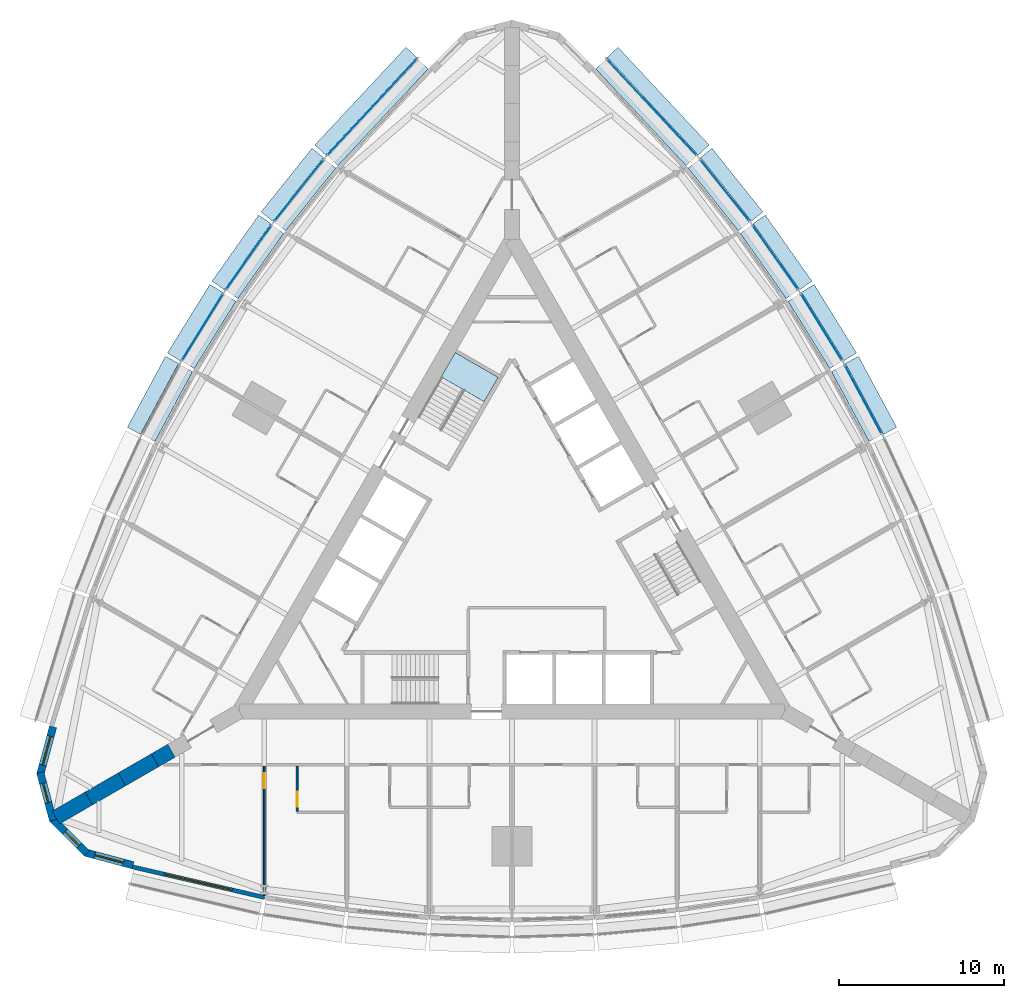
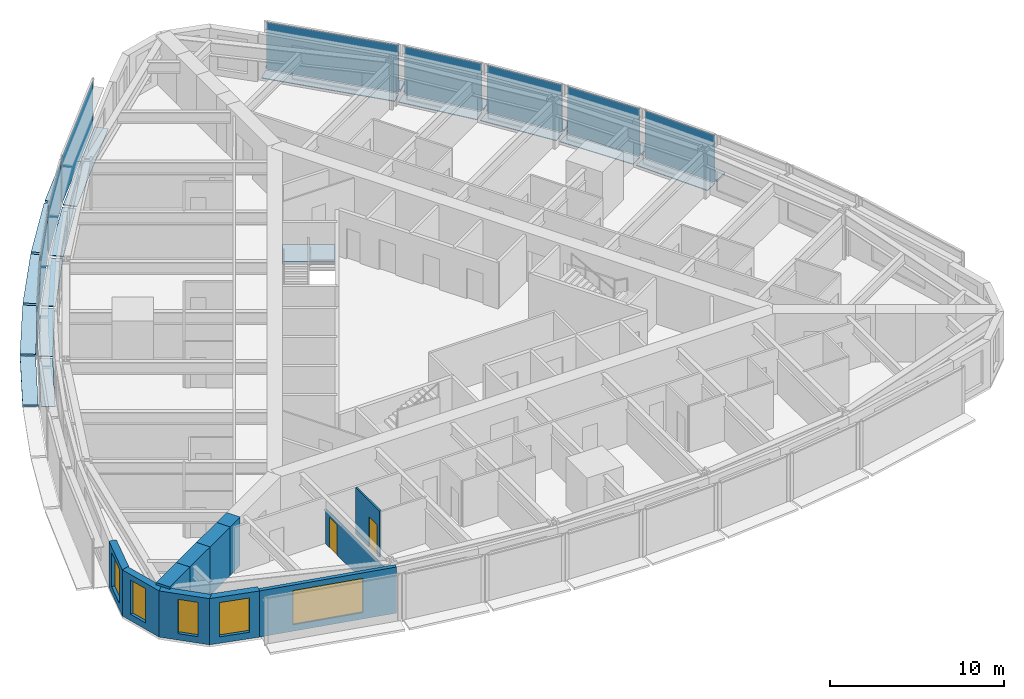
# One storey, part 7 of 14: 29 plates, 11 walls, 5 windows, 2 doors, 1 slab, 7 openings, 10 elements without a shape of their own.
"""IFC4 building model written with IfcOpenShell, lengths in metres."""

import ifcopenshell
import ifcopenshell.guid

model = None  # the IFC model being written
_history = None  # IfcOwnerHistory: only IFC2X3 demands one
_inside = {}  # id of a spatial element -> (the spatial element, [elements in it])
_under = {}  # id of a project, library or spatial element -> (it, [spatial elements below it])
_declared = {}  # id of a project -> (the project, [libraries it declares])
_typed = {}  # id of a type object -> (the type object, [elements of that type])
_made_of = {}  # id of a material, layer set ... -> (it, [elements and type objects made of it])


def new_model(schema):
    """Start an empty IFC model of exactly this schema.

    Asked for "IFC4X3", IfcOpenShell would pick the latest addendum, in which some entities
    have other attributes; the version numbers below select the first issue.
    IFC2X3 requires an IfcOwnerHistory on every rooted entity: one is made here for all.
    """
    global model, _history
    if schema == "IFC4X3":
        model = ifcopenshell.file(schema_version=(4, 3, 0, 0))
    else:
        model = ifcopenshell.file(schema=schema)
    _inside.clear()
    _under.clear()
    _declared.clear()
    _typed.clear()
    _made_of.clear()
    _history = None
    if model.schema == "IFC2X3":
        org = make("IfcOrganization", Name="unknown")
        user = make(
            "IfcPersonAndOrganization",
            ThePerson=make("IfcPerson", FamilyName="unknown"),
            TheOrganization=org,
        )
        app = make(
            "IfcApplication",
            ApplicationDeveloper=org,
            Version="unknown",
            ApplicationFullName="unknown",
            ApplicationIdentifier="unknown",
        )
        _history = make(
            "IfcOwnerHistory",
            OwningUser=user,
            OwningApplication=app,
            ChangeAction="ADDED",
            CreationDate=0,
        )
    return model


def make(cls, **values):
    """One entity of the class cls with the attributes given. An attribute that is None is left unset."""
    return model.create_entity(
        cls, **{name: value for name, value in values.items() if value is not None}
    )


def rooted(cls, **values):
    """An entity with a GlobalId (a new one), such as an element, a storey or a relation."""
    return make(cls, GlobalId=ifcopenshell.guid.new(), OwnerHistory=_history, **values)


def si_unit(unit_type, name, prefix=None):
    """IfcSIUnit, for example si_unit("LENGTHUNIT", "METRE", prefix="MILLI")."""
    return make("IfcSIUnit", UnitType=unit_type, Prefix=prefix, Name=name)


def assignment(units):
    """IfcUnitAssignment: the units of a project."""
    return None if units is None else make("IfcUnitAssignment", Units=units)


def point(xyz):
    """IfcCartesianPoint."""
    return None if xyz is None else make("IfcCartesianPoint", Coordinates=xyz)


def direction(xyz):
    """IfcDirection."""
    return None if xyz is None else make("IfcDirection", DirectionRatios=xyz)


def frame(location, z_axis=None, x_axis=None):
    """IfcAxis2Placement3D, a coordinate frame: its origin and axes. An axis left out is left unset."""
    return make(
        "IfcAxis2Placement3D",
        Location=point(location),
        Axis=direction(z_axis),
        RefDirection=direction(x_axis),
    )


def frame_2d(location, x_axis=None):
    """IfcAxis2Placement2D, a coordinate frame in the plane: its origin and x axis."""
    return make(
        "IfcAxis2Placement2D", Location=point(location), RefDirection=direction(x_axis)
    )


def origin():
    """The frame at (0, 0, 0) with its axes left unset."""
    return frame((0.0, 0.0, 0.0))


def origin_2d():
    """The frame at (0, 0) in the plane with its x axis left unset."""
    return frame_2d((0.0, 0.0))


def place(relative_to, where):
    """IfcLocalPlacement: puts the frame where relative to a parent placement (None: the world)."""
    return make(
        "IfcLocalPlacement", PlacementRelTo=relative_to, RelativePlacement=where
    )


def context(
    kind, dimensions, precision=None, world=None, true_north=None, identifier=None
):
    """IfcGeometricRepresentationContext, for example the 3D "Model" context."""
    return make(
        "IfcGeometricRepresentationContext",
        ContextIdentifier=identifier,
        ContextType=kind,
        CoordinateSpaceDimension=dimensions,
        Precision=precision,
        WorldCoordinateSystem=world,
        TrueNorth=true_north,
    )


def subcontext(parent, identifier, kind, view, scale=None):
    """IfcGeometricRepresentationSubContext, for example "Body" below "Model"."""
    return make(
        "IfcGeometricRepresentationSubContext",
        ContextIdentifier=identifier,
        ContextType=kind,
        ParentContext=parent,
        TargetScale=scale,
        TargetView=view,
    )


def project(units=None, contexts=None):
    """IfcProject with its units and contexts."""
    return rooted(
        "IfcProject",
        Name="project",
        RepresentationContexts=contexts,
        UnitsInContext=assignment(units),
    )


def spatial(cls, under=None, at=None, **own):
    """A site, building, storey or space (cls), placed at a placement, below another one or the project."""
    s = rooted(cls, ObjectPlacement=at, **own)
    if under is not None:
        _under.setdefault(under.id(), (under, []))[1].append(s)
    return s


def polyline(points):
    """IfcPolyline through the points."""
    return make("IfcPolyline", Points=[point(p) for p in points])


def profile(cls, at=None, kind="AREA", **sizes):
    """A parametric profile (cls). Its sizes go by their IFC names, for example OverallWidth=200.0."""
    return make(cls, ProfileType=kind, Position=at, **sizes)


def rectangle(**sizes):
    """IfcRectangleProfileDef."""
    return profile("IfcRectangleProfileDef", **sizes)


def outline(outer, holes=None, kind="AREA"):
    """IfcArbitraryClosedProfileDef: a profile drawn as a closed curve; with holes, ...WithVoids."""
    if holes is None:
        return make("IfcArbitraryClosedProfileDef", ProfileType=kind, OuterCurve=outer)
    return make(
        "IfcArbitraryProfileDefWithVoids",
        ProfileType=kind,
        OuterCurve=outer,
        InnerCurves=holes,
    )


def extrude(swept, where, along, depth):
    """IfcExtrudedAreaSolid: the profile swept, set in the frame where, extruded along a direction by depth."""
    return make(
        "IfcExtrudedAreaSolid",
        SweptArea=swept,
        Position=where,
        ExtrudedDirection=direction(along),
        Depth=depth,
    )


def shape(context_of_items, identifier, shape_type, items):
    """IfcShapeRepresentation: the items that make up one representation, for example the "Body"."""
    return make(
        "IfcShapeRepresentation",
        ContextOfItems=context_of_items,
        RepresentationIdentifier=identifier,
        RepresentationType=shape_type,
        Items=items,
    )


def material(Name=None, Category=None):
    """IfcMaterial."""
    return make("IfcMaterial", Name=Name, Category=Category)


def layer(
    of_material, thickness, ventilated=None, Name=None, Category=None, Priority=None
):
    """IfcMaterialLayer: one layer of a wall or slab, of a material (None: an air gap)."""
    return make(
        "IfcMaterialLayer",
        Material=of_material,
        LayerThickness=thickness,
        IsVentilated=ventilated,
        Name=Name,
        Category=Category,
        Priority=Priority,
    )


def layer_set(layers, Name=None):
    """IfcMaterialLayerSet."""
    return make("IfcMaterialLayerSet", MaterialLayers=layers, LayerSetName=Name)


def made_of(thing, what):
    """Note that an element or type object is made of a material, layer set ...; save() writes the relation."""
    if what is not None:
        _made_of.setdefault(what.id(), (what, []))[1].append(thing)
    return thing


def type_object(cls, material=None, **own):
    """A type object (cls), such as IfcWallType, which elements share."""
    return made_of(rooted(cls, **own), material)


def element(
    cls,
    number,
    at=None,
    inside=None,
    cuts=None,
    type_object=None,
    material=None,
    context=None,
    identifier="Body",
    shape_type=None,
    held_by="IfcProductDefinitionShape",
    body=None,
    shapes=None,
    **own,
):
    """One element of the class cls, such as IfcWall. Its Tag is "e" and its number.

    at: its placement. inside: the storey or other place that contains it. cuts: it is an
    opening in that element (IfcRelVoidsElement). A single representation is given by context,
    identifier, shape_type and body (its items); several are given by shapes. held_by: the class
    of the entity that holds the representations. save() writes the other relations.
    """
    e = rooted(cls, Tag="e%d" % number, ObjectPlacement=at, **own)
    if body is not None:
        shapes = [shape(context, identifier, shape_type, body)]
    if shapes is not None:
        e.Representation = make(held_by, Representations=shapes)
    if inside is not None:
        _inside.setdefault(inside.id(), (inside, []))[1].append(e)
    if cuts is not None:
        rooted(
            "IfcRelVoidsElement", RelatingBuildingElement=cuts, RelatedOpeningElement=e
        )
    if type_object is not None:
        _typed.setdefault(type_object.id(), (type_object, []))[1].append(e)
    return made_of(e, material)


def fill(opening, filler):
    """IfcRelFillsElement: the door or window that sits in an opening."""
    return rooted(
        "IfcRelFillsElement",
        RelatingOpeningElement=opening,
        RelatedBuildingElement=filler,
    )


def aggregate(whole, parts):
    """IfcRelAggregates: a whole, such as a stair, and the parts it consists of."""
    return rooted("IfcRelAggregates", RelatingObject=whole, RelatedObjects=parts)


def save(model, path):
    """Write the relations noted so far, then the file.

    IfcRelAggregates (storeys below a building ...), IfcRelContainedInSpatialStructure (elements
    in a storey), IfcRelDefinesByType, IfcRelAssociatesMaterial and IfcRelDeclares: one each for
    every whole, place, type object, material and project.
    """
    for whole, parts in _under.values():
        aggregate(whole, parts)
    for where, things in _inside.values():
        rooted(
            "IfcRelContainedInSpatialStructure",
            RelatedElements=things,
            RelatingStructure=where,
        )
    for kind, things in _typed.values():
        rooted("IfcRelDefinesByType", RelatedObjects=things, RelatingType=kind)
    for what, things in _made_of.values():
        rooted("IfcRelAssociatesMaterial", RelatedObjects=things, RelatingMaterial=what)
    for by, libraries in _declared.values():
        rooted("IfcRelDeclares", RelatingContext=by, RelatedDefinitions=libraries)
    model.write(path)


model = new_model("IFC4")

# Units and contexts
model_context = context("Model", 3, precision=1e-05, world=origin(), true_north=direction((0.0, 1.0)))
body_context = subcontext(model_context, "Body", "Model", "MODEL_VIEW")
ifc_project = project(units=[si_unit("LENGTHUNIT", "METRE"), si_unit("AREAUNIT", "SQUARE_METRE"), si_unit("VOLUMEUNIT", "CUBIC_METRE"), si_unit("PLANEANGLEUNIT", "RADIAN"), si_unit("MASSUNIT", "GRAM", prefix="KILO")], contexts=[model_context])

# Site, building, storey
site_placement = place(None, origin())
site = spatial("IfcSite", under=ifc_project, at=site_placement, CompositionType="ELEMENT")
building_placement = place(site_placement, origin())
building = spatial("IfcBuilding", under=site, at=building_placement, Name="Trikona Tower", CompositionType="ELEMENT")
storey_placement = place(building_placement, frame((0.0, 0.0, 31.89990234375)))
storey = spatial("IfcBuildingStorey", under=building, at=storey_placement, Name="L06", CompositionType="ELEMENT", Elevation=31.89990234375)

# Plates
ifc_material_1 = material(Name="Aluminium bar grating", Category="aluminium")
ifc_layer_1 = layer(ifc_material_1, 0.050048828125)
ifc_layer_set_1 = layer_set([ifc_layer_1], Name="Cavity catwalk grating")
plate_type_1 = type_object("IfcPlateType", Name="Cavity catwalk grating", PredefinedType="USERDEFINED", material=ifc_layer_set_1)
for number, where, z_axis, x_axis, name in (
    (1, (20.833740234375, 9.127197265625, -0.0498046875), (0.0, 0.0, 1.0), (-0.473422672721, 0.880835383572, 0.0), "Cavity catwalk L06-15"),
    (2, (18.3212890625, 13.47900390625, -0.0498046875), (0.0, 0.0, 1.0), (-0.526118935114, 0.85041099835, 0.0), "Cavity catwalk L06-16"),
):
    element("IfcPlate", number, at=place(storey_placement, frame(where, z_axis=z_axis, x_axis=x_axis)), inside=storey, type_object=plate_type_1, Name=name, ObjectType="CATWALK GRATING", PredefinedType="USERDEFINED", context=body_context, shape_type="SweptSolid", body=[
        extrude(rectangle(XDim=4.80224609375, YDim=0.820068359375, at=origin_2d()), origin(), (0.0, 0.0, 1.0), 0.050048828125),
    ])
plate_1_placement = place(storey_placement, frame((15.544189453125, 17.677734375, -0.0498046875), z_axis=(0.0, 0.0, 1.0), x_axis=(-0.576661909499, 0.816982889743, 0.0)))
element("IfcPlate", 3, at=plate_1_placement, inside=storey, type_object=plate_type_1, Name="Cavity catwalk L06-17", ObjectType="CATWALK GRATING", PredefinedType="USERDEFINED", context=body_context, shape_type="SweptSolid", body=[
    extrude(rectangle(XDim=4.82080078125, YDim=0.820068359375, at=origin_2d()), origin(), (0.0, 0.0, 1.0), 0.050048828125),
])
plate_2_placement = place(storey_placement, frame((12.502197265625, 21.72314453125, -0.0498046875), z_axis=(0.0, 0.0, 1.0), x_axis=(-0.624603618277, 0.780941944087, 0.0)))
element("IfcPlate", 4, at=plate_2_placement, inside=storey, type_object=plate_type_1, Name="Cavity catwalk L06-18", ObjectType="CATWALK GRATING", PredefinedType="USERDEFINED", context=body_context, shape_type="SweptSolid", body=[
    extrude(rectangle(XDim=4.857666015625, YDim=0.820068359375, at=origin_2d()), origin(), (0.0, 0.0, 1.0), 0.050048828125),
])
for number, where, z_axis, x_axis, name in (
    (5, (8.10107421875, 26.72314453125, -0.0498046875), (0.0, 0.0, 1.0), (-0.682298269147, 0.731073916864, 0.0), "Cavity catwalk L06-19"),
    (6, (-8.10107421875, 26.72314453125, -0.0498046875), (0.0, 0.0, 1.0), (-0.682298269147, -0.731073916864, 0.0), "Cavity catwalk L06-24"),
):
    element("IfcPlate", number, at=place(storey_placement, frame(where, z_axis=z_axis, x_axis=x_axis)), inside=storey, type_object=plate_type_1, Name=name, ObjectType="CATWALK GRATING", PredefinedType="USERDEFINED", context=body_context, shape_type="SweptSolid", body=[
        extrude(rectangle(XDim=8.01123046875, YDim=0.820068359375, at=origin_2d()), origin(), (0.0, 0.0, 1.0), 0.050048828125),
    ])
plate_3_placement = place(storey_placement, frame((-12.502197265625, 21.72314453125, -0.0498046875), z_axis=(0.0, 0.0, 1.0), x_axis=(-0.624603618277, -0.780941944087, 0.0)))
element("IfcPlate", 7, at=plate_3_placement, inside=storey, type_object=plate_type_1, Name="Cavity catwalk L06-25", ObjectType="CATWALK GRATING", PredefinedType="USERDEFINED", context=body_context, shape_type="SweptSolid", body=[
    extrude(rectangle(XDim=4.857666015625, YDim=0.820068359375, at=origin_2d()), origin(), (0.0, 0.0, 1.0), 0.050048828125),
])
plate_4_placement = place(storey_placement, frame((-15.544189453125, 17.677734375, -0.0498046875), z_axis=(0.0, 0.0, 1.0), x_axis=(-0.576661909499, -0.816982889743, 0.0)))
element("IfcPlate", 8, at=plate_4_placement, inside=storey, type_object=plate_type_1, Name="Cavity catwalk L06-26", ObjectType="CATWALK GRATING", PredefinedType="USERDEFINED", context=body_context, shape_type="SweptSolid", body=[
    extrude(rectangle(XDim=4.82080078125, YDim=0.820068359375, at=origin_2d()), origin(), (0.0, 0.0, 1.0), 0.050048828125),
])
for number, where, z_axis, x_axis, name in (
    (9, (-18.3212890625, 13.47900390625, -0.0498046875), (0.0, 0.0, 1.0), (-0.526118935114, -0.85041099835, 0.0), "Cavity catwalk L06-27"),
    (10, (-20.833740234375, 9.127197265625, -0.0498046875), (0.0, 0.0, 1.0), (-0.473422672721, -0.880835383572, 0.0), "Cavity catwalk L06-28"),
):
    element("IfcPlate", number, at=place(storey_placement, frame(where, z_axis=z_axis, x_axis=x_axis)), inside=storey, type_object=plate_type_1, Name=name, ObjectType="CATWALK GRATING", PredefinedType="USERDEFINED", context=body_context, shape_type="SweptSolid", body=[
        extrude(rectangle(XDim=4.80224609375, YDim=0.820068359375, at=origin_2d()), origin(), (0.0, 0.0, 1.0), 0.050048828125),
    ])

# Curtain wall, plate
ifc_material_2 = material(Name="Aluminium curtain wall system", Category="aluminium")
curtain_wall_type = type_object("IfcCurtainWallType", Name="Curtain wall DS1", PredefinedType="NOTDEFINED", material=ifc_material_2)
curtain_wall_1_placement = place(storey_placement, origin())
curtain_wall_1 = element("IfcCurtainWall", 11, at=curtain_wall_1_placement, inside=storey, type_object=curtain_wall_type, Name="Curtain wall DS1 L06", PredefinedType="NOTDEFINED")
ifc_material_3 = material(Name="Laminated clear glass", Category="glass")
ifc_layer_2 = layer(ifc_material_3, 0.028076171875)
ifc_layer_set_2 = layer_set([ifc_layer_2], Name="Glass panel DS1")
plate_type_2 = type_object("IfcPlateType", Name="Glass panel DS1", PredefinedType="CURTAIN_PANEL", material=ifc_layer_set_2)
plate_5_placement = place(storey_placement, frame((21.265380859375, 9.359130859375, 0.0), z_axis=(0.0, 0.0, 1.0), x_axis=(-0.473408350896, 0.880843080975, 0.0)))
plate_5 = element("IfcPlate", 12, at=plate_5_placement, type_object=plate_type_2, Name="CW-DS1 panel 1.1", PredefinedType="CURTAIN_PANEL", context=body_context, shape_type="SweptSolid", body=[
    extrude(rectangle(XDim=4.72216796875, YDim=0.028076171875, at=origin_2d()), origin(), (0.0, 0.0, 1.0), 3.320068359375),
])
aggregate(curtain_wall_1, [plate_5])

curtain_wall_2_placement = place(storey_placement, origin())
curtain_wall_2 = element("IfcCurtainWall", 13, at=curtain_wall_2_placement, inside=storey, type_object=curtain_wall_type, Name="Curtain wall DS1 L06", PredefinedType="NOTDEFINED")
plate_6_placement = place(storey_placement, frame((18.738037109375, 13.73681640625, 0.0), z_axis=(0.0, 0.0, 1.0), x_axis=(-0.526119790842, 0.850410468941, 0.0)))
plate_6 = element("IfcPlate", 14, at=plate_6_placement, type_object=plate_type_2, Name="CW-DS1 panel 1.1", PredefinedType="CURTAIN_PANEL", context=body_context, shape_type="SweptSolid", body=[
    extrude(rectangle(XDim=4.722412109375, YDim=0.028076171875, at=origin_2d()), origin(), (0.0, 0.0, 1.0), 3.320068359375),
])
aggregate(curtain_wall_2, [plate_6])

curtain_wall_3_placement = place(storey_placement, origin())
curtain_wall_3 = element("IfcCurtainWall", 15, at=curtain_wall_3_placement, inside=storey, type_object=curtain_wall_type, Name="Curtain wall DS1 L06", PredefinedType="NOTDEFINED")
plate_7_placement = place(storey_placement, frame((15.9443359375, 17.960205078125, 0.0), z_axis=(0.0, 0.0, 1.0), x_axis=(-0.576658362928, 0.816985393055, 0.0)))
plate_7 = element("IfcPlate", 16, at=plate_7_placement, type_object=plate_type_2, Name="CW-DS1 panel 1.1", PredefinedType="CURTAIN_PANEL", context=body_context, shape_type="SweptSolid", body=[
    extrude(rectangle(XDim=4.74072265625, YDim=0.028076171875, at=origin_2d()), origin(), (0.0, 0.0, 1.0), 3.320068359375),
])
aggregate(curtain_wall_3, [plate_7])

curtain_wall_4_placement = place(storey_placement, origin())
curtain_wall_4 = element("IfcCurtainWall", 17, at=curtain_wall_4_placement, inside=storey, type_object=curtain_wall_type, Name="Curtain wall DS1 L06", PredefinedType="NOTDEFINED")
plate_8_placement = place(storey_placement, frame((12.884765625, 22.029296875, 0.0), z_axis=(0.0, 0.0, 1.0), x_axis=(-0.624608599951, 0.780937959679, 0.0)))
plate_8 = element("IfcPlate", 18, at=plate_8_placement, type_object=plate_type_2, Name="CW-DS1 panel 1.1", PredefinedType="CURTAIN_PANEL", context=body_context, shape_type="SweptSolid", body=[
    extrude(rectangle(XDim=4.777587890625, YDim=0.028076171875, at=origin_2d()), origin(), (0.0, 0.0, 1.0), 3.320068359375),
])
aggregate(curtain_wall_4, [plate_8])

curtain_wall_5_placement = place(storey_placement, origin())
curtain_wall_5 = element("IfcCurtainWall", 19, at=curtain_wall_5_placement, inside=storey, type_object=curtain_wall_type, Name="Curtain wall DS1 L06", PredefinedType="NOTDEFINED")
plate_9_placement = place(storey_placement, frame((8.459228515625, 27.057373046875, 0.0), z_axis=(0.0, 0.0, 1.0), x_axis=(-0.682295351967, 0.731076639405, 0.0)))
plate_9 = element("IfcPlate", 20, at=plate_9_placement, type_object=plate_type_2, Name="CW-DS1 panel 1.1", PredefinedType="CURTAIN_PANEL", context=body_context, shape_type="SweptSolid", body=[
    extrude(rectangle(XDim=7.93115234375, YDim=0.028076171875, at=origin_2d()), origin(), (0.0, 0.0, 1.0), 3.320068359375),
])
aggregate(curtain_wall_5, [plate_9])

curtain_wall_6_placement = place(storey_placement, origin())
curtain_wall_6 = element("IfcCurtainWall", 21, at=curtain_wall_6_placement, inside=storey, type_object=curtain_wall_type, Name="Curtain wall DS1 L06", PredefinedType="NOTDEFINED")
plate_10_placement = place(storey_placement, frame((-8.459228515625, 27.057373046875, 0.0), z_axis=(0.0, 0.0, 1.0), x_axis=(-0.682295351967, -0.731076639405, 0.0)))
plate_10 = element("IfcPlate", 22, at=plate_10_placement, type_object=plate_type_2, Name="CW-DS1 panel 1.1", PredefinedType="CURTAIN_PANEL", context=body_context, shape_type="SweptSolid", body=[
    extrude(rectangle(XDim=7.93115234375, YDim=0.028076171875, at=origin_2d()), origin(), (0.0, 0.0, 1.0), 3.320068359375),
])
aggregate(curtain_wall_6, [plate_10])

curtain_wall_7_placement = place(storey_placement, origin())
curtain_wall_7 = element("IfcCurtainWall", 23, at=curtain_wall_7_placement, inside=storey, type_object=curtain_wall_type, Name="Curtain wall DS1 L06", PredefinedType="NOTDEFINED")
plate_11_placement = place(storey_placement, frame((-12.884765625, 22.029296875, 0.0), z_axis=(0.0, 0.0, 1.0), x_axis=(-0.624608599951, -0.780937959679, 0.0)))
plate_11 = element("IfcPlate", 24, at=plate_11_placement, type_object=plate_type_2, Name="CW-DS1 panel 1.1", PredefinedType="CURTAIN_PANEL", context=body_context, shape_type="SweptSolid", body=[
    extrude(rectangle(XDim=4.777587890625, YDim=0.028076171875, at=origin_2d()), origin(), (0.0, 0.0, 1.0), 3.320068359375),
])
aggregate(curtain_wall_7, [plate_11])

curtain_wall_8_placement = place(storey_placement, origin())
curtain_wall_8 = element("IfcCurtainWall", 25, at=curtain_wall_8_placement, inside=storey, type_object=curtain_wall_type, Name="Curtain wall DS1 L06", PredefinedType="NOTDEFINED")
plate_12_placement = place(storey_placement, frame((-15.9443359375, 17.960205078125, 0.0), z_axis=(0.0, 0.0, 1.0), x_axis=(-0.576658362928, -0.816985393055, 0.0)))
plate_12 = element("IfcPlate", 26, at=plate_12_placement, type_object=plate_type_2, Name="CW-DS1 panel 1.1", PredefinedType="CURTAIN_PANEL", context=body_context, shape_type="SweptSolid", body=[
    extrude(rectangle(XDim=4.74072265625, YDim=0.028076171875, at=origin_2d()), origin(), (0.0, 0.0, 1.0), 3.320068359375),
])
aggregate(curtain_wall_8, [plate_12])

curtain_wall_9_placement = place(storey_placement, origin())
curtain_wall_9 = element("IfcCurtainWall", 27, at=curtain_wall_9_placement, inside=storey, type_object=curtain_wall_type, Name="Curtain wall DS1 L06", PredefinedType="NOTDEFINED")
plate_13_placement = place(storey_placement, frame((-18.738037109375, 13.73681640625, 0.0), z_axis=(0.0, 0.0, 1.0), x_axis=(-0.526119790842, -0.850410468941, 0.0)))
plate_13 = element("IfcPlate", 28, at=plate_13_placement, type_object=plate_type_2, Name="CW-DS1 panel 1.1", PredefinedType="CURTAIN_PANEL", context=body_context, shape_type="SweptSolid", body=[
    extrude(rectangle(XDim=4.722412109375, YDim=0.028076171875, at=origin_2d()), origin(), (0.0, 0.0, 1.0), 3.320068359375),
])
aggregate(curtain_wall_9, [plate_13])

# Plates
ifc_material_4 = material(Name="Aluminium plate fin, pale anodised, on stainless steel outriggers", Category="steel")
ifc_layer_3 = layer(ifc_material_4, 0.14990234375)
ifc_layer_set_3 = layer_set([ifc_layer_3], Name="Outer skin fin 900")
plate_type_3 = type_object("IfcPlateType", Name="Outer skin fin 900", PredefinedType="USERDEFINED", material=ifc_layer_set_3)
for number, where, z_axis, x_axis, name in (
    (29, (21.732421875, 9.610107421875, 0.000244140625), (0.0, 0.0, 1.0), (-0.473422672721, 0.880835383572, 0.0), "Outer skin fin L06-15"),
    (30, (19.188720703125, 14.015625, 0.000244140625), (0.0, 0.0, 1.0), (-0.526118935114, 0.85041099835, 0.0), "Outer skin fin L06-16"),
):
    element("IfcPlate", number, at=place(storey_placement, frame(where, z_axis=z_axis, x_axis=x_axis)), inside=storey, type_object=plate_type_3, Name=name, ObjectType="FIN", PredefinedType="USERDEFINED", context=body_context, shape_type="SweptSolid", body=[
        extrude(rectangle(XDim=4.88232421875, YDim=0.89990234375, at=origin_2d()), origin(), (0.0, 0.0, 1.0), 0.14990234375),
    ])
plate_14_placement = place(storey_placement, frame((16.37744140625, 18.265869140625, 0.000244140625), z_axis=(0.0, 0.0, 1.0), x_axis=(-0.576661909499, 0.816982889743, 0.0)))
element("IfcPlate", 31, at=plate_14_placement, inside=storey, type_object=plate_type_3, Name="Outer skin fin L06-17", ObjectType="FIN", PredefinedType="USERDEFINED", context=body_context, shape_type="SweptSolid", body=[
    extrude(rectangle(XDim=4.90087890625, YDim=0.89990234375, at=origin_2d()), origin(), (0.0, 0.0, 1.0), 0.14990234375),
])
plate_15_placement = place(storey_placement, frame((13.298583984375, 22.360107421875, 0.000244140625), z_axis=(0.0, 0.0, 1.0), x_axis=(-0.624603618277, 0.780941944087, 0.0)))
element("IfcPlate", 32, at=plate_15_placement, inside=storey, type_object=plate_type_3, Name="Outer skin fin L06-18", ObjectType="FIN", PredefinedType="USERDEFINED", context=body_context, shape_type="SweptSolid", body=[
    extrude(rectangle(XDim=4.9375, YDim=0.89990234375, at=origin_2d()), origin(), (0.0, 0.0, 1.0), 0.14990234375),
])
for number, where, z_axis, x_axis, name in (
    (33, (8.8466796875, 27.419189453125, 0.000244140625), (0.0, 0.0, 1.0), (-0.682298269147, 0.731073916864, 0.0), "Outer skin fin L06-19"),
    (34, (-8.8466796875, 27.419189453125, 0.000244140625), (0.0, 0.0, 1.0), (-0.682298269147, -0.731073916864, 0.0), "Outer skin fin L06-24"),
):
    element("IfcPlate", number, at=place(storey_placement, frame(where, z_axis=z_axis, x_axis=x_axis)), inside=storey, type_object=plate_type_3, Name=name, ObjectType="FIN", PredefinedType="USERDEFINED", context=body_context, shape_type="SweptSolid", body=[
        extrude(rectangle(XDim=8.09130859375, YDim=0.89990234375, at=origin_2d()), origin(), (0.0, 0.0, 1.0), 0.14990234375),
    ])
plate_16_placement = place(storey_placement, frame((-13.298583984375, 22.360107421875, 0.000244140625), z_axis=(0.0, 0.0, 1.0), x_axis=(-0.624603618277, -0.780941944087, 0.0)))
element("IfcPlate", 35, at=plate_16_placement, inside=storey, type_object=plate_type_3, Name="Outer skin fin L06-25", ObjectType="FIN", PredefinedType="USERDEFINED", context=body_context, shape_type="SweptSolid", body=[
    extrude(rectangle(XDim=4.9375, YDim=0.89990234375, at=origin_2d()), origin(), (0.0, 0.0, 1.0), 0.14990234375),
])
plate_17_placement = place(storey_placement, frame((-16.37744140625, 18.265869140625, 0.000244140625), z_axis=(0.0, 0.0, 1.0), x_axis=(-0.576661909499, -0.816982889743, 0.0)))
element("IfcPlate", 36, at=plate_17_placement, inside=storey, type_object=plate_type_3, Name="Outer skin fin L06-26", ObjectType="FIN", PredefinedType="USERDEFINED", context=body_context, shape_type="SweptSolid", body=[
    extrude(rectangle(XDim=4.90087890625, YDim=0.89990234375, at=origin_2d()), origin(), (0.0, 0.0, 1.0), 0.14990234375),
])
for number, where, z_axis, x_axis, name in (
    (37, (-19.188720703125, 14.015625, 0.000244140625), (0.0, 0.0, 1.0), (-0.526118935114, -0.85041099835, 0.0), "Outer skin fin L06-27"),
    (38, (-21.732421875, 9.610107421875, 0.000244140625), (0.0, 0.0, 1.0), (-0.473422672721, -0.880835383572, 0.0), "Outer skin fin L06-28"),
):
    element("IfcPlate", number, at=place(storey_placement, frame(where, z_axis=z_axis, x_axis=x_axis)), inside=storey, type_object=plate_type_3, Name=name, ObjectType="FIN", PredefinedType="USERDEFINED", context=body_context, shape_type="SweptSolid", body=[
        extrude(rectangle(XDim=4.88232421875, YDim=0.89990234375, at=origin_2d()), origin(), (0.0, 0.0, 1.0), 0.14990234375),
    ])

# Stair, slab
ifc_material_5 = material(Name="Concrete f'c 5000 psi", Category="concrete")
stair_type = type_object("IfcStairType", Name="Core stair", PredefinedType="HALF_TURN_STAIR", material=ifc_material_5)
stair_placement = place(storey_placement, origin())
stair = element("IfcStair", 39, at=stair_placement, inside=storey, type_object=stair_type, Name="Stair C L06", PredefinedType="HALF_TURN_STAIR")
ifc_material_6 = material(Name="Concrete f'c 5000 psi", Category="concrete")
ifc_layer_4 = layer(ifc_material_6, 0.199951171875)
ifc_layer_set_4 = layer_set([ifc_layer_4], Name="Stair landing 200")
slab_type = type_object("IfcSlabType", Name="Stair landing 200", PredefinedType="LANDING", material=ifc_layer_set_4)
slab_placement = place(storey_placement, frame((0.0, 0.0, 1.5)))
slab = element("IfcSlab", 40, at=slab_placement, type_object=slab_type, Name="ST-C landing 2", PredefinedType="LANDING", context=body_context, shape_type="SweptSolid", body=[
    extrude(outline(polyline([(-0.837158203125, 10.702392578125), (-1.688720703125, 9.2275390625), (-4.286865234375, 10.7275390625), (-3.435302734375, 12.202392578125), (-0.837158203125, 10.702392578125)])), origin(), (0.0, 0.0, 1.0), 0.2001953125),
])
aggregate(stair, [slab])

# Wall, opening, door
ifc_material_7 = material(Name="Metal stud and cement board", Category="gypsum")
ifc_layer_5 = layer(ifc_material_7, 0.1201171875)
ifc_layer_set_5 = layer_set([ifc_layer_5], Name="Bathroom wall 120")
wall_type_1 = type_object("IfcWallType", Name="Bathroom wall 120", PredefinedType="PLUMBINGWALL", material=ifc_layer_set_5)
wall_1_placement = place(storey_placement, frame((-13.0, -12.826416015625, 0.0), z_axis=(0.0, 0.0, 1.0), x_axis=(0.0, -1.0, 0.0)))
wall_1 = element("IfcWall", 41, at=wall_1_placement, inside=storey, type_object=wall_type_1, Name="Bathroom wall 0601.1", PredefinedType="PLUMBINGWALL", context=body_context, shape_type="SweptSolid", body=[
    extrude(rectangle(XDim=2.739990234375, YDim=0.1201171875, at=frame_2d((1.3701171875, 0.0))), origin(), (0.0, 0.0, 1.0), 3.235107421875),
])
opening_1_placement = place(wall_1_placement, frame((1.550048828125, 0.0, 0.0)))
opening_1 = element("IfcOpeningElement", 42, at=opening_1_placement, cuts=wall_1, Name="Opening D2", PredefinedType="OPENING", context=body_context, shape_type="SweptSolid", body=[
    extrude(rectangle(XDim=0.89990234375, YDim=2.1298828125, at=frame_2d((0.449951171875, 1.06494140625))), frame((0.0, 0.070068359375, 0.0), z_axis=(0.0, -1.0, 0.0), x_axis=(1.0, 0.0, 0.0)), (0.0, 0.0, 1.0), 0.14013671875),
])
ifc_material_8 = material(Name="Steel door frame with solid-core timber leaf", Category="steel")
door_type_1 = type_object("IfcDoorType", Name="Bathroom door 900x2130", OperationType="SLIDING_TO_LEFT", PredefinedType="DOOR", material=ifc_material_8)
door_1_placement = place(opening_1_placement, origin())
door_1 = element("IfcDoor", 43, at=door_1_placement, inside=storey, type_object=door_type_1, Name="Bathroom door 0601.1", OperationType="SLIDING_TO_LEFT", OverallHeight=2.1298828125, OverallWidth=0.89990234375, PredefinedType="DOOR", context=body_context, shape_type="SweptSolid", body=[
    extrude(rectangle(XDim=0.89990234375, YDim=2.1298828125, at=frame_2d((0.449951171875, 1.06494140625))), frame((0.0, 0.02490234375, 0.0), z_axis=(0.0, -1.0, 0.0), x_axis=(1.0, 0.0, 0.0)), (0.0, 0.0, 1.0), 0.050048828125),
])
fill(opening_1, door_1)

# Wall, opening, window
ifc_material_9 = material(Name="Brick-faced precast concrete", Category="masonry")
ifc_layer_6 = layer(ifc_material_9, 0.449951171875)
ifc_layer_set_6 = layer_set([ifc_layer_6], Name="Brick-faced corner wall 450")
wall_type_2 = type_object("IfcWallType", Name="Brick-faced corner wall 450", PredefinedType="SOLIDWALL", material=ifc_layer_set_6)
wall_2_placement = place(storey_placement, frame((-27.78271484375, -10.450439453125, 0.0), z_axis=(0.0, 0.0, 1.0), x_axis=(-0.258780998834, -0.965936019953, 0.0)))
wall_2 = element("IfcWall", 44, at=wall_2_placement, inside=storey, type_object=wall_type_2, Name="External wall L06-32", PredefinedType="SOLIDWALL", context=body_context, shape_type="SweptSolid", body=[
    extrude(rectangle(XDim=2.98876953125, YDim=0.449951171875, at=frame_2d((1.494384765625, 0.0))), origin(), (0.0, 0.0, 1.0), 3.235107421875),
])
opening_2_placement = place(wall_2_placement, frame((0.59423828125, 0.0, 0.449951171875)))
opening_2 = element("IfcOpeningElement", 45, at=opening_2_placement, cuts=wall_2, Name="Opening W1824", PredefinedType="OPENING", context=body_context, shape_type="SweptSolid", body=[
    extrude(rectangle(XDim=1.800048828125, YDim=2.39990234375, at=frame_2d((0.89990234375, 1.199951171875))), frame((0.0, 0.23486328125, 0.0), z_axis=(0.0, -1.0, 0.0), x_axis=(1.0, 0.0, 0.0)), (0.0, 0.0, 1.0), 0.469970703125),
])
ifc_material_10 = material(Name="Aluminium-framed double glazing", Category="aluminium")
window_type_1 = type_object("IfcWindowType", Name="Window 1800x2400", PartitioningType="SINGLE_PANEL", PredefinedType="WINDOW", material=ifc_material_10)
window_1_placement = place(opening_2_placement, origin())
window_1 = element("IfcWindow", 46, at=window_1_placement, inside=storey, type_object=window_type_1, Name="Window 0618", OverallHeight=2.39990234375, OverallWidth=1.800048828125, PartitioningType="SINGLE_PANEL", PredefinedType="WINDOW", context=body_context, shape_type="SweptSolid", body=[
    extrude(rectangle(XDim=1.800048828125, YDim=2.39990234375, at=frame_2d((0.89990234375, 1.199951171875))), frame((0.0, 0.030029296875, 0.0), z_axis=(0.0, -1.0, 0.0), x_axis=(1.0, 0.0, 0.0)), (0.0, 0.0, 1.0), 0.06005859375),
])
fill(opening_2, window_1)

wall_3_placement = place(storey_placement, frame((-28.55615234375, -13.220947265625, 0.0), z_axis=(0.0, 0.0, 1.0), x_axis=(0.258801419081, -0.965930548995, 0.0)))
wall_3 = element("IfcWall", 47, at=wall_3_placement, inside=storey, type_object=wall_type_2, Name="External wall L06-33", PredefinedType="SOLIDWALL", context=body_context, shape_type="SweptSolid", body=[
    extrude(outline(polyline([(2.988525390625, 0.22509765625), (2.928955078125, 0.22509765625), (2.437255859375, 0.09326171875), (2.402099609375, 0.22509765625), (0.0, 0.22509765625), (0.0, -0.22509765625), (2.988525390625, -0.22509765625), (2.988525390625, 0.22509765625)])), origin(), (0.0, 0.0, 1.0), 3.235107421875),
])
opening_3_placement = place(wall_3_placement, frame((0.676025390625, 0.0, 0.449951171875)))
opening_3 = element("IfcOpeningElement", 48, at=opening_3_placement, cuts=wall_3, Name="Opening W1224", PredefinedType="OPENING", context=body_context, shape_type="SweptSolid", body=[
    extrude(rectangle(XDim=1.199951171875, YDim=2.39990234375, at=frame_2d((0.60009765625, 1.199951171875))), frame((0.0, 0.23486328125, 0.0), z_axis=(0.0, -1.0, 0.0), x_axis=(1.0, 0.0, 0.0)), (0.0, 0.0, 1.0), 0.469970703125),
])
ifc_material_11 = material(Name="Aluminium-framed double glazing", Category="aluminium")
window_type_2 = type_object("IfcWindowType", Name="Window 1200x2400", PartitioningType="SINGLE_PANEL", PredefinedType="WINDOW", material=ifc_material_11)
window_2_placement = place(opening_3_placement, origin())
window_2 = element("IfcWindow", 49, at=window_2_placement, inside=storey, type_object=window_type_2, Name="Window 0618", OverallHeight=2.39990234375, OverallWidth=1.199951171875, PartitioningType="SINGLE_PANEL", PredefinedType="WINDOW", context=body_context, shape_type="SweptSolid", body=[
    extrude(rectangle(XDim=1.199951171875, YDim=2.39990234375, at=frame_2d((0.60009765625, 1.199951171875))), frame((0.0, 0.030029296875, 0.0), z_axis=(0.0, -1.0, 0.0), x_axis=(1.0, 0.0, 0.0)), (0.0, 0.0, 1.0), 0.06005859375),
])
fill(opening_3, window_2)

wall_4_placement = place(storey_placement, frame((-27.8408203125, -16.006591796875, 0.0), z_axis=(0.0, 0.0, 1.0), x_axis=(0.707025086683, -0.707188466253, 0.0)))
wall_4 = element("IfcWall", 50, at=wall_4_placement, inside=storey, type_object=wall_type_2, Name="External wall L06-34", PredefinedType="SOLIDWALL", context=body_context, shape_type="SweptSolid", body=[
    extrude(outline(polyline([(2.988525390625, 0.22509765625), (0.58642578125, 0.22509765625), (0.551025390625, 0.093017578125), (0.058837890625, 0.22509765625), (0.0, 0.22509765625), (0.0, -0.22509765625), (2.988525390625, -0.22509765625), (2.988525390625, 0.22509765625)])), origin(), (0.0, 0.0, 1.0), 3.235107421875),
])
opening_4_placement = place(wall_4_placement, frame((1.112548828125, 0.0, 0.449951171875)))
opening_4 = element("IfcOpeningElement", 51, at=opening_4_placement, cuts=wall_4, Name="Opening W1224", PredefinedType="OPENING", context=body_context, shape_type="SweptSolid", body=[
    extrude(rectangle(XDim=1.199951171875, YDim=2.39990234375, at=frame_2d((0.60009765625, 1.199951171875))), frame((0.0, 0.23486328125, 0.0), z_axis=(0.0, -1.0, 0.0), x_axis=(1.0, 0.0, 0.0)), (0.0, 0.0, 1.0), 0.469970703125),
])
window_3_placement = place(opening_4_placement, origin())
window_3 = element("IfcWindow", 52, at=window_3_placement, inside=storey, type_object=window_type_2, Name="Window 0601", OverallHeight=2.39990234375, OverallWidth=1.199951171875, PartitioningType="SINGLE_PANEL", PredefinedType="WINDOW", context=body_context, shape_type="SweptSolid", body=[
    extrude(rectangle(XDim=1.199951171875, YDim=2.39990234375, at=frame_2d((0.60009765625, 1.199951171875))), frame((0.0, 0.030029296875, 0.0), z_axis=(0.0, -1.0, 0.0), x_axis=(1.0, 0.0, 0.0)), (0.0, 0.0, 1.0), 0.06005859375),
])
fill(opening_4, window_3)

wall_5_placement = place(storey_placement, frame((-25.82861328125, -18.061767578125, 0.0), z_axis=(0.0, 0.0, 1.0), x_axis=(0.965930548995, -0.258801419081, 0.0)))
wall_5 = element("IfcWall", 53, at=wall_5_placement, inside=storey, type_object=wall_type_2, Name="External wall L06-35", PredefinedType="SOLIDWALL", context=body_context, shape_type="SweptSolid", body=[
    extrude(rectangle(XDim=2.988525390625, YDim=0.449951171875, at=frame_2d((1.494140625, 0.0))), origin(), (0.0, 0.0, 1.0), 3.235107421875),
])
opening_5_placement = place(wall_5_placement, frame((0.59423828125, 0.0, 0.449951171875)))
opening_5 = element("IfcOpeningElement", 54, at=opening_5_placement, cuts=wall_5, Name="Opening W1824", PredefinedType="OPENING", context=body_context, shape_type="SweptSolid", body=[
    extrude(rectangle(XDim=1.800048828125, YDim=2.39990234375, at=frame_2d((0.89990234375, 1.199951171875))), frame((0.0, 0.23486328125, 0.0), z_axis=(0.0, -1.0, 0.0), x_axis=(1.0, 0.0, 0.0)), (0.0, 0.0, 1.0), 0.469970703125),
])
window_4_placement = place(opening_5_placement, origin())
window_4 = element("IfcWindow", 55, at=window_4_placement, inside=storey, type_object=window_type_1, Name="Window 0601", OverallHeight=2.39990234375, OverallWidth=1.800048828125, PartitioningType="SINGLE_PANEL", PredefinedType="WINDOW", context=body_context, shape_type="SweptSolid", body=[
    extrude(rectangle(XDim=1.800048828125, YDim=2.39990234375, at=frame_2d((0.89990234375, 1.199951171875))), frame((0.0, 0.030029296875, 0.0), z_axis=(0.0, -1.0, 0.0), x_axis=(1.0, 0.0, 0.0)), (0.0, 0.0, 1.0), 0.06005859375),
])
fill(opening_5, window_4)

# Walls
ifc_material_12 = material(Name="Concrete f'c 10000 psi", Category="concrete")
ifc_layer_7 = layer(ifc_material_12, 0.89990234375)
ifc_layer_set_7 = layer_set([ifc_layer_7], Name="Buttress wall 900")
wall_type_3 = type_object("IfcWallType", Name="Buttress wall 900", PredefinedType="SHEAR", material=ifc_layer_set_7)
wall_6_placement = place(storey_placement, frame((-20.6103515625, -11.8994140625, 0.0), z_axis=(0.0, 0.0, 1.0), x_axis=(-0.866009537788, -0.500027479704, 0.0)))
element("IfcWall", 56, at=wall_6_placement, inside=storey, type_object=wall_type_3, Name="Buttress wall 3 part 2", PredefinedType="SHEAR", context=body_context, shape_type="SweptSolid", body=[
    extrude(rectangle(XDim=1.15478515625, YDim=0.89990234375, at=frame_2d((0.577392578125, 0.0))), origin(), (0.0, 0.0, 1.0), 3.400146484375),
])
for number, where, z_axis, x_axis, name in (
    (57, (-21.6103515625, -12.476806640625, 0.0), (0.0, 0.0, 1.0), (-0.866055313784, -0.499948190782, 0.0), "Buttress wall 3 part 3"),
    (58, (-23.6103515625, -13.63134765625, 0.0), (0.0, 0.0, 1.0), (-0.866009537788, -0.500027479704, 0.0), "Buttress wall 3 part 4"),
    (59, (-25.6103515625, -14.7861328125, 0.0), (0.0, 0.0, 1.0), (-0.866009537788, -0.500027479704, 0.0), "Buttress wall 3 part 5"),
):
    element("IfcWall", number, at=place(storey_placement, frame(where, z_axis=z_axis, x_axis=x_axis)), inside=storey, type_object=wall_type_3, Name=name, PredefinedType="SHEAR", context=body_context, shape_type="SweptSolid", body=[
        extrude(rectangle(XDim=2.309326171875, YDim=0.89990234375, at=frame_2d((1.15478515625, 0.0))), origin(), (0.0, 0.0, 1.0), 3.400146484375),
    ])

# Wall, opening, window
ifc_material_13 = material(Name="Insulated precast concrete spandrel panel", Category="concrete")
ifc_layer_8 = layer(ifc_material_13, 0.25)
ifc_layer_set_8 = layer_set([ifc_layer_8], Name="Inner skin wall 250")
wall_type_4 = type_object("IfcWallType", Name="Inner skin wall 250", PredefinedType="STANDARD", material=ifc_layer_set_8)
wall_7_placement = place(storey_placement, frame((-22.9716796875, -18.930908203125, 0.0), z_axis=(0.0, 0.0, 1.0), x_axis=(0.974279327392, -0.225343720163, 0.0)))
wall_7 = element("IfcWall", 60, at=wall_7_placement, inside=storey, type_object=wall_type_4, Name="External wall L06-00", PredefinedType="STANDARD", context=body_context, shape_type="SweptSolid", body=[
    extrude(rectangle(XDim=8.211181640625, YDim=0.25, at=frame_2d((4.10546875, 0.0))), origin(), (0.0, 0.0, 1.0), 3.235107421875),
])
opening_6_placement = place(wall_7_placement, frame((2.005615234375, 0.0, 0.449951171875)))
opening_6 = element("IfcOpeningElement", 61, at=opening_6_placement, cuts=wall_7, Name="Opening W4224", PredefinedType="OPENING", context=body_context, shape_type="SweptSolid", body=[
    extrude(rectangle(XDim=4.199951171875, YDim=2.39990234375, at=frame_2d((2.10009765625, 1.199951171875))), frame((0.0, 0.135009765625, 0.0), z_axis=(0.0, -1.0, 0.0), x_axis=(1.0, 0.0, 0.0)), (0.0, 0.0, 1.0), 0.27001953125),
])
ifc_material_14 = material(Name="Aluminium-framed double glazing", Category="aluminium")
window_type_3 = type_object("IfcWindowType", Name="Window 4200x2400", PartitioningType="SINGLE_PANEL", PredefinedType="WINDOW", material=ifc_material_14)
window_5_placement = place(opening_6_placement, origin())
window_5 = element("IfcWindow", 62, at=window_5_placement, inside=storey, type_object=window_type_3, Name="Window 0601", OverallHeight=2.39990234375, OverallWidth=4.199951171875, PartitioningType="SINGLE_PANEL", PredefinedType="WINDOW", context=body_context, shape_type="SweptSolid", body=[
    extrude(rectangle(XDim=4.199951171875, YDim=2.39990234375, at=frame_2d((2.10009765625, 1.199951171875))), frame((0.0, 0.030029296875, 0.0), z_axis=(0.0, -1.0, 0.0), x_axis=(1.0, 0.0, 0.0)), (0.0, 0.0, 1.0), 0.06005859375),
])
fill(opening_6, window_5)

# Wall, opening, door
ifc_material_15 = material(Name="Metal stud and gypsum board, acoustic", Category="gypsum")
ifc_layer_9 = layer(ifc_material_15, 0.10009765625)
ifc_layer_set_9 = layer_set([ifc_layer_9], Name="Suite partition 100")
wall_type_5 = type_object("IfcWallType", Name="Suite partition 100", PredefinedType="PARTITIONING", material=ifc_layer_set_9)
wall_8_placement = place(storey_placement, frame((-15.0, -12.826416015625, 0.0), z_axis=(0.0, 0.0, 1.0), x_axis=(0.0, -1.0, 0.0)))
wall_8 = element("IfcWall", 63, at=wall_8_placement, inside=storey, type_object=wall_type_5, Name="Suite partition L06 F1 u-15", PredefinedType="PARTITIONING", context=body_context, shape_type="SweptSolid", body=[
    extrude(rectangle(XDim=7.820068359375, YDim=0.10009765625, at=frame_2d((3.91015625, 0.0))), origin(), (0.0, 0.0, 1.0), 2.389404296875),
])
opening_7_placement = place(wall_8_placement, frame((0.449951171875, 0.0, 0.0)))
opening_7 = element("IfcOpeningElement", 64, at=opening_7_placement, cuts=wall_8, Name="Opening D13", PredefinedType="OPENING", context=body_context, shape_type="SweptSolid", body=[
    extrude(rectangle(XDim=0.89990234375, YDim=2.1298828125, at=frame_2d((0.449951171875, 1.06494140625))), frame((0.0, 0.06005859375, 0.0), z_axis=(0.0, -1.0, 0.0), x_axis=(1.0, 0.0, 0.0)), (0.0, 0.0, 1.0), 0.1201171875),
])
ifc_material_16 = material(Name="Steel door frame with solid-core timber leaf", Category="steel")
door_type_2 = type_object("IfcDoorType", Name="Suite door 900x2130", OperationType="SINGLE_SWING_LEFT", PredefinedType="DOOR", material=ifc_material_16)
door_2_placement = place(opening_7_placement, origin())
door_2 = element("IfcDoor", 65, at=door_2_placement, inside=storey, type_object=door_type_2, Name="Suite door 0601", OperationType="SINGLE_SWING_LEFT", OverallHeight=2.1298828125, OverallWidth=0.89990234375, PredefinedType="DOOR", context=body_context, shape_type="SweptSolid", body=[
    extrude(rectangle(XDim=0.89990234375, YDim=2.1298828125, at=frame_2d((0.449951171875, 1.06494140625))), frame((0.0, 0.02490234375, 0.0), z_axis=(0.0, -1.0, 0.0), x_axis=(1.0, 0.0, 0.0)), (0.0, 0.0, 1.0), 0.050048828125),
])
fill(opening_7, door_2)

save(model, "model.ifc")
